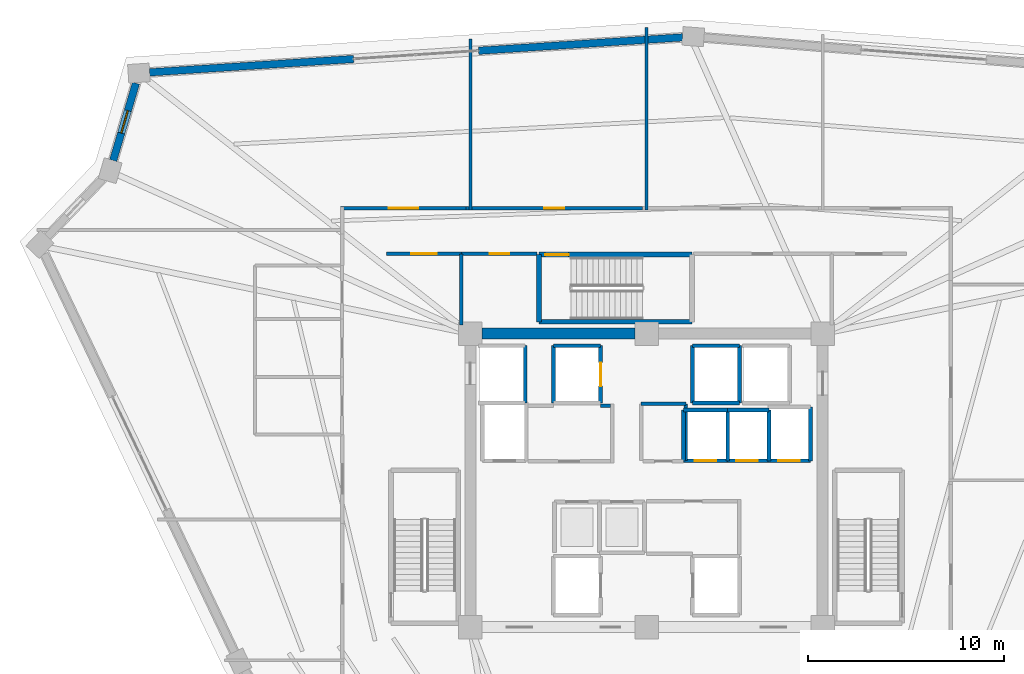
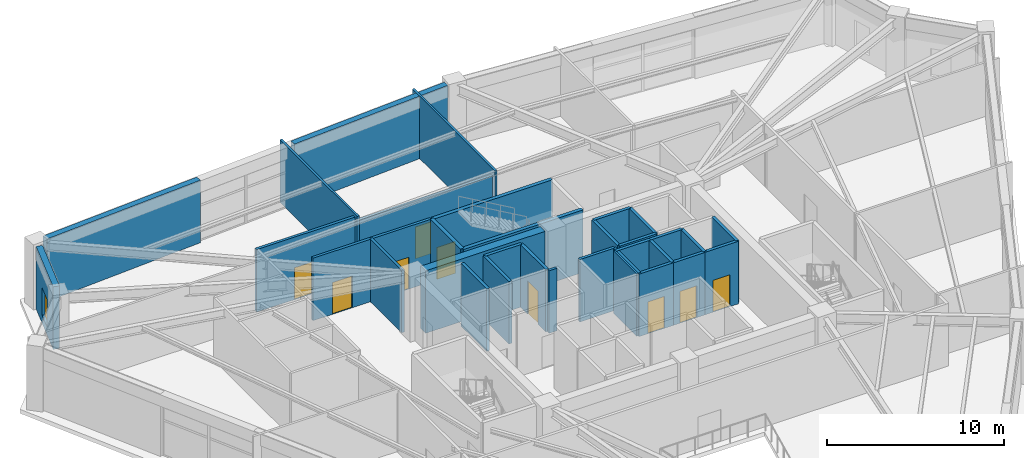
# One storey, part 30 of 35: 34 walls, 9 doors, 1 window, 10 openings.
"""IFC4 building model written with IfcOpenShell, lengths in metres."""

from ifc_helpers import new_model, si_unit, direction, frame, frame_2d, origin, place, context, subcontext, project, spatial, rectangle, extrude, source, transform, mapped, material, layer, layer_set, type_object, element, fill, save


model = new_model("IFC4")

# Units and contexts
model_context = context("Model", 3, precision=1e-05, world=origin(), true_north=direction((0.0, 1.0)))
body_context = subcontext(model_context, "Body", "Model", "MODEL_VIEW")
ifc_project = project(units=[si_unit("LENGTHUNIT", "METRE"), si_unit("AREAUNIT", "SQUARE_METRE"), si_unit("VOLUMEUNIT", "CUBIC_METRE"), si_unit("PLANEANGLEUNIT", "RADIAN"), si_unit("MASSUNIT", "GRAM", prefix="KILO")], contexts=[model_context])

# Site, building, storey
site_placement = place(None, origin())
site = spatial("IfcSite", under=ifc_project, at=site_placement, CompositionType="ELEMENT")
building_placement = place(site_placement, origin())
building = spatial("IfcBuilding", under=site, at=building_placement, Name="Liaohun Quay Tower", CompositionType="ELEMENT")
storey_placement = place(building_placement, frame((0.0, 0.0, 282.0)))
storey = spatial("IfcBuildingStorey", under=building, at=storey_placement, Name="L73", CompositionType="ELEMENT", Elevation=282.0)

# Walls
ifc_material_1 = material(Name="Concrete C50", Category="concrete")
ifc_layer_1 = layer(ifc_material_1, 0.550048828125, Name="Concrete C50", Category="concrete")
ifc_layer_set_1 = layer_set([ifc_layer_1], Name="Concrete C50")
wall_type_1 = type_object("IfcWallType", Name="WAL-COR-Z4", PredefinedType="SHEAR", material=ifc_layer_set_1)
wall_1_placement = place(storey_placement, frame((51.60009765625, 61.5, 0.0), z_axis=(0.0, 0.0, 1.0), x_axis=(1.0, 0.0, 0.0)))
element("IfcWall", 1, at=wall_1_placement, inside=storey, type_object=wall_type_1, Name="L73 Central Core Shear Wall N-W", PredefinedType="SHEAR", context=body_context, shape_type="SweptSolid", body=[
    extrude(rectangle(XDim=7.7998046875, YDim=0.550048828125, at=frame_2d((3.89990234375, 0.0))), origin(), (0.0, 0.0, 1.0), 4.320068359375),
])
ifc_material_2 = material(Name="Precast concrete C50 insulated sandwich", Category="concrete")
ifc_layer_2 = layer(ifc_material_2, 0.3798828125, Name="Precast concrete C50 insulated sandwich", Category="concrete")
ifc_layer_set_2 = layer_set([ifc_layer_2], Name="Precast concrete C50 insulated sandwich")
wall_type_2 = type_object("IfcWallType", Name="WAL-EXT-Z34", PredefinedType="SOLIDWALL", material=ifc_layer_set_2)
wall_2_placement = place(storey_placement, frame((61.847900390625, 76.64208984375, 0.0), z_axis=(0.0, 0.0, 1.0), x_axis=(-0.997844985263, -0.065615435579, 0.0)))
element("IfcWall", 2, at=wall_2_placement, inside=storey, type_object=wall_type_2, Name="L73 Belvedere Flank Pier Wall 07L", PredefinedType="SOLIDWALL", context=body_context, shape_type="SweptSolid", body=[
    extrude(rectangle(XDim=10.455322265625, YDim=0.3798828125, at=frame_2d((5.2275390625, 0.0))), origin(), (0.0, 0.0, 1.0), 4.320068359375),
])
wall_3_placement = place(storey_placement, frame((45.028076171875, 75.535888671875, 0.0), z_axis=(0.0, 0.0, 1.0), x_axis=(-0.997846614317, -0.065590657079, 0.0)))
element("IfcWall", 3, at=wall_3_placement, inside=storey, type_object=wall_type_2, Name="L73 Belvedere Flank Pier Wall 07R", PredefinedType="SOLIDWALL", context=body_context, shape_type="SweptSolid", body=[
    extrude(rectangle(XDim=10.45556640625, YDim=0.3798828125, at=frame_2d((5.227783203125, 0.0))), origin(), (0.0, 0.0, 1.0), 4.320068359375),
])

# Wall, opening, window
wall_4_placement = place(storey_placement, frame((33.903076171875, 74.297119140625, 0.0), z_axis=(0.0, 0.0, 1.0), x_axis=(-0.282820834806, -0.959172755764, 0.0)))
wall_4 = element("IfcWall", 4, at=wall_4_placement, inside=storey, type_object=wall_type_2, Name="L73 Corner Notch Precast Pier Wall 08", PredefinedType="SOLIDWALL", context=body_context, shape_type="SweptSolid", body=[
    extrude(rectangle(XDim=4.119384765625, YDim=0.3798828125, at=frame_2d((2.0595703125, 0.0))), origin(), (0.0, 0.0, 1.0), 4.320068359375),
])
shared_shape_1 = source(origin(), body_context, "Body", "SweptSolid", [
    extrude(rectangle(XDim=1.199951171875, YDim=1.89990234375, at=frame_2d((0.60009765625, 0.949951171875))), frame((0.0, 0.199951171875, 0.0), z_axis=(0.0, -1.0, 0.0), x_axis=(1.0, 0.0, 0.0)), (0.0, 0.0, 1.0), 0.39990234375),
])
opening_1_placement = place(wall_4_placement, frame((1.4599609375, 0.0, 0.550048828125)))
opening_1 = element("IfcOpeningElement", 5, at=opening_1_placement, cuts=wall_4, Name="Opening W05", PredefinedType="OPENING", context=body_context, shape_type="MappedRepresentation", body=[
    mapped(shared_shape_1, transform((0.0, 0.0, 0.0), x_axis=(1.0, 0.0, 0.0), y_axis=(0.0, 1.0, 0.0), z_axis=(0.0, 0.0, 1.0), scale=1.0)),
])
ifc_material_3 = material(Name="Triple Low-E corner notch glazing", Category="glass")
window_type = type_object("IfcWindowType", Name="WIN-NOTCH", PartitioningType="SINGLE_PANEL", PredefinedType="WINDOW", material=ifc_material_3)
shared_shape_2 = source(origin(), body_context, "Body", "SweptSolid", [
    extrude(rectangle(XDim=1.199951171875, YDim=1.89990234375, at=frame_2d((0.60009765625, 0.949951171875))), frame((0.0, 0.030029296875, 0.0), z_axis=(0.0, -1.0, 0.0), x_axis=(1.0, 0.0, 0.0)), (0.0, 0.0, 1.0), 0.06005859375),
])
window_placement = place(opening_1_placement, origin())
window = element("IfcWindow", 6, at=window_placement, inside=storey, type_object=window_type, Name="L73 Corner Notch Window W05-08", OverallHeight=1.89990234375, OverallWidth=1.199951171875, PartitioningType="SINGLE_PANEL", PredefinedType="WINDOW", context=body_context, shape_type="MappedRepresentation", body=[
    mapped(shared_shape_2, transform((0.0, 0.0, 0.0), x_axis=(1.0, 0.0, 0.0), y_axis=(0.0, 1.0, 0.0), z_axis=(0.0, 0.0, 1.0), scale=1.0)),
])
fill(opening_1, window)

# Wall, opening, door
ifc_material_4 = material(Name="Autoclaved aerated concrete blockwork", Category="masonry")
ifc_layer_3 = layer(ifc_material_4, 0.179931640625, Name="Autoclaved aerated concrete blockwork", Category="masonry")
ifc_layer_set_3 = layer_set([ifc_layer_3], Name="Autoclaved aerated concrete blockwork")
wall_type_3 = type_object("IfcWallType", Name="WAL-PRT-COR", PredefinedType="PARTITIONING", material=ifc_layer_set_3)
wall_5_placement = place(storey_placement, frame((50.5400390625, 65.580078125, 0.0), z_axis=(0.0, 0.0, 1.0), x_axis=(1.0, 0.0, 0.0)))
wall_5 = element("IfcWall", 7, at=wall_5_placement, inside=storey, type_object=wall_type_3, Name="L73 Interior Partition Wall 007", PredefinedType="PARTITIONING", context=body_context, shape_type="SweptSolid", body=[
    extrude(rectangle(XDim=3.869873046875, YDim=0.179931640625, at=frame_2d((1.93505859375, 0.0))), origin(), (0.0, 0.0, 1.0), 4.320068359375),
])
shared_shape_3 = source(origin(), body_context, "Body", "SweptSolid", [
    extrude(rectangle(XDim=1.0, YDim=2.199951171875, at=frame_2d((0.5, 1.10009765625))), frame((0.0, 0.099853515625, 0.0), z_axis=(0.0, -1.0, 0.0), x_axis=(1.0, 0.0, 0.0)), (0.0, 0.0, 1.0), 0.199951171875),
])
opening_2_placement = place(wall_5_placement, frame((1.43505859375, 0.0, 0.0)))
opening_2 = element("IfcOpeningElement", 8, at=opening_2_placement, cuts=wall_5, Name="Opening OD1", PredefinedType="OPENING", context=body_context, shape_type="MappedRepresentation", body=[
    mapped(shared_shape_3, transform((0.0, 0.0, 0.0), x_axis=(1.0, 0.0, 0.0), y_axis=(0.0, 1.0, 0.0), z_axis=(0.0, 0.0, 1.0), scale=1.0)),
])
ifc_material_5 = material(Name="Solid-core oak veneer timber leaf in steel frame", Category="steel")
door_type_1 = type_object("IfcDoorType", Name="DOR-OFF-1000", OperationType="NOTDEFINED", PredefinedType="DOOR", material=ifc_material_5)
shared_shape_4 = source(origin(), body_context, "Body", "SweptSolid", [
    extrude(rectangle(XDim=1.0, YDim=2.199951171875, at=frame_2d((0.5, 1.10009765625))), frame((0.0, 0.02490234375, 0.0), z_axis=(0.0, -1.0, 0.0), x_axis=(1.0, 0.0, 0.0)), (0.0, 0.0, 1.0), 0.050048828125),
])
door_1_placement = place(opening_2_placement, origin())
door_1 = element("IfcDoor", 9, at=door_1_placement, inside=storey, type_object=door_type_1, Name="L73 North-West Print and Telecom Room Door", OperationType="SINGLE_SWING_LEFT", OverallHeight=2.199951171875, OverallWidth=1.0, PredefinedType="DOOR", context=body_context, shape_type="MappedRepresentation", body=[
    mapped(shared_shape_4, transform((0.0, 0.0, 0.0), x_axis=(1.0, 0.0, 0.0), y_axis=(0.0, 1.0, 0.0), z_axis=(0.0, 0.0, 1.0), scale=1.0)),
])
fill(opening_2, door_1)

wall_6_placement = place(storey_placement, frame((46.699951171875, 65.580078125, 0.0), z_axis=(0.0, 0.0, 1.0), x_axis=(1.0, 0.0, 0.0)))
wall_6 = element("IfcWall", 10, at=wall_6_placement, inside=storey, type_object=wall_type_3, Name="L73 Interior Partition Wall 009", PredefinedType="PARTITIONING", context=body_context, shape_type="SweptSolid", body=[
    extrude(rectangle(XDim=3.840087890625, YDim=0.179931640625, at=frame_2d((1.919921875, 0.0))), origin(), (0.0, 0.0, 1.0), 4.320068359375),
])
shared_shape_5 = source(origin(), body_context, "Body", "SweptSolid", [
    extrude(rectangle(XDim=1.300048828125, YDim=2.199951171875, at=frame_2d((0.64990234375, 1.10009765625))), frame((0.0, 0.099853515625, 0.0), z_axis=(0.0, -1.0, 0.0), x_axis=(1.0, 0.0, 0.0)), (0.0, 0.0, 1.0), 0.199951171875),
])
opening_3_placement = place(wall_6_placement, frame((1.27001953125, 0.0, 0.0)))
opening_3 = element("IfcOpeningElement", 11, at=opening_3_placement, cuts=wall_6, Name="Opening FD1", PredefinedType="OPENING", context=body_context, shape_type="MappedRepresentation", body=[
    mapped(shared_shape_5, transform((0.0, 0.0, 0.0), x_axis=(1.0, 0.0, 0.0), y_axis=(0.0, 1.0, 0.0), z_axis=(0.0, 0.0, 1.0), scale=1.0)),
])
ifc_material_6 = material(Name="Galvanised steel smokeproof fire door", Category="steel")
door_type_2 = type_object("IfcDoorType", Name="DOR-FFL-1300", OperationType="NOTDEFINED", PredefinedType="DOOR", material=ifc_material_6)
shared_shape_6 = source(origin(), body_context, "Body", "SweptSolid", [
    extrude(rectangle(XDim=1.300048828125, YDim=2.199951171875, at=frame_2d((0.64990234375, 1.10009765625))), frame((0.0, 0.02490234375, 0.0), z_axis=(0.0, -1.0, 0.0), x_axis=(1.0, 0.0, 0.0)), (0.0, 0.0, 1.0), 0.050048828125),
])
door_2_placement = place(opening_3_placement, origin())
door_2 = element("IfcDoor", 12, at=door_2_placement, inside=storey, type_object=door_type_2, Name="L73 West Core Vestibule Door", OperationType="SINGLE_SWING_LEFT", OverallHeight=2.199951171875, OverallWidth=1.300048828125, PredefinedType="DOOR", context=body_context, shape_type="MappedRepresentation", body=[
    mapped(shared_shape_6, transform((0.0, 0.0, 0.0), x_axis=(1.0, 0.0, 0.0), y_axis=(0.0, 1.0, 0.0), z_axis=(0.0, 0.0, 1.0), scale=1.0)),
])
fill(opening_3, door_2)

wall_7_placement = place(storey_placement, frame((50.784912109375, 67.909912109375, 0.0), z_axis=(0.0, 0.0, 1.0), x_axis=(1.0, 0.0, 0.0)))
wall_7 = element("IfcWall", 13, at=wall_7_placement, inside=storey, type_object=wall_type_3, Name="L73 Interior Partition Wall 014", PredefinedType="PARTITIONING", context=body_context, shape_type="SweptSolid", body=[
    extrude(rectangle(XDim=9.0, YDim=0.179931640625, at=frame_2d((4.5, 0.0))), origin(), (0.0, 0.0, 1.0), 4.010986328125),
])
opening_4_placement = place(wall_7_placement, frame((4.0, 0.0, 0.0)))
opening_4 = element("IfcOpeningElement", 14, at=opening_4_placement, cuts=wall_7, Name="Opening OD1", PredefinedType="OPENING", context=body_context, shape_type="MappedRepresentation", body=[
    mapped(shared_shape_3, transform((0.0, 0.0, 0.0), x_axis=(1.0, 0.0, 0.0), y_axis=(0.0, 1.0, 0.0), z_axis=(0.0, 0.0, 1.0), scale=1.0)),
])
door_3_placement = place(opening_4_placement, origin())
door_3 = element("IfcDoor", 15, at=door_3_placement, inside=storey, type_object=door_type_1, Name="L73 Model Fabrication Workshop 04 Door", OperationType="SINGLE_SWING_RIGHT", OverallHeight=2.199951171875, OverallWidth=1.0, PredefinedType="DOOR", context=body_context, shape_type="MappedRepresentation", body=[
    mapped(shared_shape_4, transform((0.0, 0.0, 0.0), x_axis=(1.0, 0.0, 0.0), y_axis=(0.0, 1.0, 0.0), z_axis=(0.0, 0.0, 1.0), scale=1.0)),
])
fill(opening_4, door_3)

wall_8_placement = place(storey_placement, frame((44.3701171875, 67.909912109375, 0.0), z_axis=(0.0, 0.0, 1.0), x_axis=(1.0, 0.0, 0.0)))
wall_8 = element("IfcWall", 16, at=wall_8_placement, inside=storey, type_object=wall_type_3, Name="L73 Interior Partition Wall 015", PredefinedType="PARTITIONING", context=body_context, shape_type="SweptSolid", body=[
    extrude(rectangle(XDim=6.414794921875, YDim=0.179931640625, at=frame_2d((3.20751953125, 0.0))), origin(), (0.0, 0.0, 1.0), 4.320068359375),
])
shared_shape_7 = source(origin(), body_context, "Body", "SweptSolid", [
    extrude(rectangle(XDim=1.5, YDim=2.199951171875, at=frame_2d((0.75, 1.10009765625))), frame((0.0, 0.099853515625, 0.0), z_axis=(0.0, -1.0, 0.0), x_axis=(1.0, 0.0, 0.0)), (0.0, 0.0, 1.0), 0.199951171875),
])
opening_5_placement = place(wall_8_placement, frame((2.45703125, 0.0, 0.0)))
opening_5 = element("IfcOpeningElement", 17, at=opening_5_placement, cuts=wall_8, Name="Opening OD2", PredefinedType="OPENING", context=body_context, shape_type="MappedRepresentation", body=[
    mapped(shared_shape_7, transform((0.0, 0.0, 0.0), x_axis=(1.0, 0.0, 0.0), y_axis=(0.0, 1.0, 0.0), z_axis=(0.0, 0.0, 1.0), scale=1.0)),
])
ifc_material_7 = material(Name="Acoustic oak veneer double door")
door_type_3 = type_object("IfcDoorType", Name="DOR-OFF-1500", OperationType="DOUBLE_DOOR_SINGLE_SWING", PredefinedType="DOOR", material=ifc_material_7)
shared_shape_8 = source(origin(), body_context, "Body", "SweptSolid", [
    extrude(rectangle(XDim=1.5, YDim=2.199951171875, at=frame_2d((0.75, 1.10009765625))), frame((0.0, 0.02490234375, 0.0), z_axis=(0.0, -1.0, 0.0), x_axis=(1.0, 0.0, 0.0)), (0.0, 0.0, 1.0), 0.050048828125),
])
door_4_placement = place(opening_5_placement, origin())
door_4 = element("IfcDoor", 18, at=door_4_placement, inside=storey, type_object=door_type_3, Name="L73 Sky Club Pantry Kitchen 05 Door", OperationType="DOUBLE_DOOR_SINGLE_SWING", OverallHeight=2.199951171875, OverallWidth=1.5, PredefinedType="DOOR", context=body_context, shape_type="MappedRepresentation", body=[
    mapped(shared_shape_8, transform((0.0, 0.0, 0.0), x_axis=(1.0, 0.0, 0.0), y_axis=(0.0, 1.0, 0.0), z_axis=(0.0, 0.0, 1.0), scale=1.0)),
])
fill(opening_5, door_4)

# Walls
wall_9_placement = place(storey_placement, frame((62.010009765625, 55.02001953125, 0.0), z_axis=(0.0, 0.0, 1.0), x_axis=(0.0, 1.0, 0.0)))
element("IfcWall", 19, at=wall_9_placement, inside=storey, type_object=wall_type_3, Name="L73 Interior Partition Wall 021", PredefinedType="PARTITIONING", context=body_context, shape_type="SweptSolid", body=[
    extrude(rectangle(XDim=2.8798828125, YDim=0.179931640625, at=frame_2d((1.43994140625, 0.0))), origin(), (0.0, 0.0, 1.0), 4.320068359375),
])
wall_10_placement = place(storey_placement, frame((59.719970703125, 57.919921875, 0.0), z_axis=(0.0, 0.0, 1.0), x_axis=(1.0, 0.0, 0.0)))
element("IfcWall", 20, at=wall_10_placement, inside=storey, type_object=wall_type_3, Name="L73 Interior Partition Wall 022", PredefinedType="PARTITIONING", context=body_context, shape_type="SweptSolid", body=[
    extrude(rectangle(XDim=2.2900390625, YDim=0.179931640625, at=frame_2d((1.14501953125, 0.0))), origin(), (0.0, 0.0, 1.0), 4.320068359375),
])
wall_11_placement = place(storey_placement, frame((50.5400390625, 61.949951171875, 0.0), z_axis=(0.0, 0.0, 1.0), x_axis=(0.0, 1.0, 0.0)))
element("IfcWall", 21, at=wall_11_placement, inside=storey, type_object=wall_type_3, Name="L73 Interior Partition Wall 028", PredefinedType="PARTITIONING", context=body_context, shape_type="SweptSolid", body=[
    extrude(rectangle(XDim=3.630126953125, YDim=0.179931640625, at=frame_2d((1.81494140625, 0.0))), origin(), (0.0, 0.0, 1.0), 4.320068359375),
])
wall_12_placement = place(storey_placement, frame((57.64990234375, 57.820068359375, 0.0), z_axis=(0.0, 0.0, 1.0), x_axis=(1.0, 0.0, 0.0)))
element("IfcWall", 22, at=wall_12_placement, inside=storey, type_object=wall_type_3, Name="L73 Interior Partition Wall 046", PredefinedType="PARTITIONING", context=body_context, shape_type="SweptSolid", body=[
    extrude(rectangle(XDim=0.510009765625, YDim=0.179931640625, at=frame_2d((0.2548828125, 0.0))), origin(), (0.0, 0.0, 1.0), 4.320068359375),
])
ifc_material_8 = material(Name="Gypsum board on twin steel studs", Category="steel")
ifc_layer_4 = layer(ifc_material_8, 0.139892578125, Name="Gypsum board on twin steel studs", Category="steel")
ifc_layer_set_4 = layer_set([ifc_layer_4], Name="Gypsum board on twin steel studs")
wall_type_4 = type_object("IfcWallType", Name="WAL-PRT-OFF", PredefinedType="PARTITIONING", material=ifc_layer_set_4)
wall_13_placement = place(storey_placement, frame((51.0, 67.81005859375, 0.0), z_axis=(0.0, 0.0, 1.0), x_axis=(0.0, 1.0, 0.0)))
element("IfcWall", 23, at=wall_13_placement, inside=storey, type_object=wall_type_4, Name="L73 Interior Partition Wall 041", PredefinedType="PARTITIONING", context=body_context, shape_type="SweptSolid", body=[
    extrude(rectangle(XDim=8.75, YDim=0.139892578125, at=frame_2d((4.375, 0.0))), origin(), (0.0, 0.0, 1.0), 4.320068359375),
])
wall_14_placement = place(storey_placement, frame((60.0, 67.81005859375, 0.0), z_axis=(0.0, 0.0, 1.0), x_axis=(0.0, 1.0, 0.0)))
element("IfcWall", 24, at=wall_14_placement, inside=storey, type_object=wall_type_4, Name="L73 Interior Partition Wall 042", PredefinedType="PARTITIONING", context=body_context, shape_type="SweptSolid", body=[
    extrude(rectangle(XDim=9.3408203125, YDim=0.139892578125, at=frame_2d((4.67041015625, 0.0))), origin(), (0.0, 0.0, 1.0), 4.320068359375),
])
ifc_layer_5 = layer(ifc_material_1, 0.239990234375, Name="Concrete C50", Category="concrete")
ifc_layer_set_5 = layer_set([ifc_layer_5], Name="Concrete C50")
wall_type_5 = type_object("IfcWallType", Name="WAL-SHF-200", PredefinedType="SOLIDWALL", material=ifc_layer_set_5)
wall_15_placement = place(storey_placement, frame((54.5, 62.10009765625, 0.0), z_axis=(0.0, 0.0, 1.0), x_axis=(1.0, 0.0, 0.0)))
element("IfcWall", 25, at=wall_15_placement, inside=storey, type_object=wall_type_5, Name="L73 Stairwell ST-3 Structural Core Wall S", PredefinedType="SOLIDWALL", context=body_context, shape_type="SweptSolid", body=[
    extrude(rectangle(XDim=7.820068359375, YDim=0.239990234375, at=frame_2d((3.91015625, 0.0))), origin(), (0.0, 0.0, 1.0), 4.320068359375),
])

# Wall, opening, door
wall_16_placement = place(storey_placement, frame((62.320068359375, 65.5400390625, 0.0), z_axis=(0.0, 0.0, 1.0), x_axis=(-1.0, 0.0, 0.0)))
wall_16 = element("IfcWall", 26, at=wall_16_placement, inside=storey, type_object=wall_type_5, Name="L73 Stairwell ST-3 Structural Core Wall N", PredefinedType="SOLIDWALL", context=body_context, shape_type="SweptSolid", body=[
    extrude(rectangle(XDim=7.820068359375, YDim=0.239990234375, at=frame_2d((3.91015625, 0.0))), origin(), (0.0, 0.0, 1.0), 4.320068359375),
])
shared_shape_9 = source(origin(), body_context, "Body", "SweptSolid", [
    extrude(rectangle(XDim=1.199951171875, YDim=2.199951171875, at=frame_2d((0.60009765625, 1.10009765625))), frame((0.0, 0.1298828125, 0.0), z_axis=(0.0, -1.0, 0.0), x_axis=(1.0, 0.0, 0.0)), (0.0, 0.0, 1.0), 0.260009765625),
])
opening_6_placement = place(wall_16_placement, frame((6.300048828125, 0.0, 0.0)))
opening_6 = element("IfcOpeningElement", 27, at=opening_6_placement, cuts=wall_16, Name="Opening SD1", PredefinedType="OPENING", context=body_context, shape_type="MappedRepresentation", body=[
    mapped(shared_shape_9, transform((0.0, 0.0, 0.0), x_axis=(1.0, 0.0, 0.0), y_axis=(0.0, 1.0, 0.0), z_axis=(0.0, 0.0, 1.0), scale=1.0)),
])
ifc_material_9 = material(Name="Galvanised steel fire door", Category="steel")
door_type_4 = type_object("IfcDoorType", Name="DOR-STR-1200", OperationType="NOTDEFINED", PredefinedType="DOOR", material=ifc_material_9)
shared_shape_10 = source(origin(), body_context, "Body", "SweptSolid", [
    extrude(rectangle(XDim=1.199951171875, YDim=2.199951171875, at=frame_2d((0.60009765625, 1.10009765625))), frame((0.0, 0.02490234375, 0.0), z_axis=(0.0, -1.0, 0.0), x_axis=(1.0, 0.0, 0.0)), (0.0, 0.0, 1.0), 0.050048828125),
])
door_5_placement = place(opening_6_placement, origin())
door_5 = element("IfcDoor", 28, at=door_5_placement, inside=storey, type_object=door_type_4, Name="L73 Protected Stair ST-3 Fire Door", OperationType="SINGLE_SWING_RIGHT", OverallHeight=2.199951171875, OverallWidth=1.199951171875, PredefinedType="DOOR", context=body_context, shape_type="MappedRepresentation", body=[
    mapped(shared_shape_10, transform((0.0, 0.0, 0.0), x_axis=(1.0, 0.0, 0.0), y_axis=(0.0, 1.0, 0.0), z_axis=(0.0, 0.0, 1.0), scale=1.0)),
])
fill(opening_6, door_5)

# Wall
wall_17_placement = place(storey_placement, frame((54.5, 65.5400390625, 0.0), z_axis=(0.0, 0.0, 1.0), x_axis=(0.0, -1.0, 0.0)))
element("IfcWall", 29, at=wall_17_placement, inside=storey, type_object=wall_type_5, Name="L73 Stairwell ST-3 Structural Core Wall W", PredefinedType="SOLIDWALL", context=body_context, shape_type="SweptSolid", body=[
    extrude(rectangle(XDim=3.43994140625, YDim=0.239990234375, at=frame_2d((1.719970703125, 0.0))), origin(), (0.0, 0.0, 1.0), 4.320068359375),
])

# Wall, opening, door
wall_18_placement = place(storey_placement, frame((57.64990234375, 57.949951171875, 0.0), z_axis=(0.0, 0.0, 1.0), x_axis=(0.0, 1.0, 0.0)))
wall_18 = element("IfcWall", 30, at=wall_18_placement, inside=storey, type_object=wall_type_5, Name="L73 Lift FF-03 Hoistway Wall E", PredefinedType="SOLIDWALL", context=body_context, shape_type="SweptSolid", body=[
    extrude(rectangle(XDim=2.929931640625, YDim=0.199951171875, at=frame_2d((1.46484375, 0.0))), origin(), (0.0, 0.0, 1.0), 4.320068359375),
])
shared_shape_11 = source(origin(), body_context, "Body", "SweptSolid", [
    extrude(rectangle(XDim=1.199951171875, YDim=2.300048828125, at=frame_2d((0.60009765625, 1.14990234375))), frame((0.0, 0.10986328125, 0.0), z_axis=(0.0, -1.0, 0.0), x_axis=(1.0, 0.0, 0.0)), (0.0, 0.0, 1.0), 0.219970703125),
])
opening_7_placement = place(wall_18_placement, frame((0.864990234375, 0.0, 0.0)))
opening_7 = element("IfcOpeningElement", 31, at=opening_7_placement, cuts=wall_18, Name="Opening LD2", PredefinedType="OPENING", context=body_context, shape_type="MappedRepresentation", body=[
    mapped(shared_shape_11, transform((0.0, 0.0, 0.0), x_axis=(1.0, 0.0, 0.0), y_axis=(0.0, 1.0, 0.0), z_axis=(0.0, 0.0, 1.0), scale=1.0)),
])
ifc_material_10 = material(Name="Brushed stainless steel stretcher landing door", Category="steel")
door_type_5 = type_object("IfcDoorType", Name="DOR-LFT-1200", OperationType="SLIDING_TO_LEFT", PredefinedType="DOOR", material=ifc_material_10)
shared_shape_12 = source(origin(), body_context, "Body", "SweptSolid", [
    extrude(rectangle(XDim=1.199951171875, YDim=2.300048828125, at=frame_2d((0.60009765625, 1.14990234375))), frame((0.0, 0.02490234375, 0.0), z_axis=(0.0, -1.0, 0.0), x_axis=(1.0, 0.0, 0.0)), (0.0, 0.0, 1.0), 0.050048828125),
])
door_6_placement = place(opening_7_placement, origin())
door_6 = element("IfcDoor", 32, at=door_6_placement, inside=storey, type_object=door_type_5, Name="L73 Lift FF-03 Sliding Landing Door", OperationType="SLIDING_TO_LEFT", OverallHeight=2.300048828125, OverallWidth=1.199951171875, PredefinedType="DOOR", context=body_context, shape_type="MappedRepresentation", body=[
    mapped(shared_shape_12, transform((0.0, 0.0, 0.0), x_axis=(1.0, 0.0, 0.0), y_axis=(0.0, 1.0, 0.0), z_axis=(0.0, 0.0, 1.0), scale=1.0)),
])
fill(opening_7, door_6)

# Walls
wall_19_placement = place(storey_placement, frame((57.64990234375, 60.8798828125, 0.0), z_axis=(0.0, 0.0, 1.0), x_axis=(-1.0, 0.0, 0.0)))
element("IfcWall", 33, at=wall_19_placement, inside=storey, type_object=wall_type_5, Name="L73 Lift FF-03 Hoistway Wall N", PredefinedType="SOLIDWALL", context=body_context, shape_type="SweptSolid", body=[
    extrude(rectangle(XDim=2.39990234375, YDim=0.199951171875, at=frame_2d((1.199951171875, 0.0))), origin(), (0.0, 0.0, 1.0), 4.320068359375),
])
wall_20_placement = place(storey_placement, frame((55.25, 60.8798828125, 0.0), z_axis=(0.0, 0.0, 1.0), x_axis=(0.0, -1.0, 0.0)))
element("IfcWall", 34, at=wall_20_placement, inside=storey, type_object=wall_type_5, Name="L73 Lift FF-03 Hoistway Wall W", PredefinedType="SOLIDWALL", context=body_context, shape_type="SweptSolid", body=[
    extrude(rectangle(XDim=2.929931640625, YDim=0.199951171875, at=frame_2d((1.46484375, 0.0))), origin(), (0.0, 0.0, 1.0), 4.320068359375),
])
wall_21_placement = place(storey_placement, frame((62.35009765625, 57.949951171875, 0.0), z_axis=(0.0, 0.0, 1.0), x_axis=(1.0, 0.0, 0.0)))
element("IfcWall", 35, at=wall_21_placement, inside=storey, type_object=wall_type_5, Name="L73 Lift OB-01 Hoistway Wall S", PredefinedType="SOLIDWALL", context=body_context, shape_type="SweptSolid", body=[
    extrude(rectangle(XDim=2.39990234375, YDim=0.199951171875, at=frame_2d((1.199951171875, 0.0))), origin(), (0.0, 0.0, 1.0), 4.320068359375),
])
wall_22_placement = place(storey_placement, frame((64.75, 57.949951171875, 0.0), z_axis=(0.0, 0.0, 1.0), x_axis=(0.0, 1.0, 0.0)))
element("IfcWall", 36, at=wall_22_placement, inside=storey, type_object=wall_type_5, Name="L73 Lift OB-01 Hoistway Wall E", PredefinedType="SOLIDWALL", context=body_context, shape_type="SweptSolid", body=[
    extrude(rectangle(XDim=2.929931640625, YDim=0.199951171875, at=frame_2d((1.46484375, 0.0))), origin(), (0.0, 0.0, 1.0), 4.320068359375),
])
wall_23_placement = place(storey_placement, frame((64.75, 60.8798828125, 0.0), z_axis=(0.0, 0.0, 1.0), x_axis=(-1.0, 0.0, 0.0)))
element("IfcWall", 37, at=wall_23_placement, inside=storey, type_object=wall_type_5, Name="L73 Lift OB-01 Hoistway Wall N", PredefinedType="SOLIDWALL", context=body_context, shape_type="SweptSolid", body=[
    extrude(rectangle(XDim=2.39990234375, YDim=0.199951171875, at=frame_2d((1.199951171875, 0.0))), origin(), (0.0, 0.0, 1.0), 4.320068359375),
])
for number, where, z_axis, x_axis, name in (
    (38, (62.35009765625, 60.8798828125, 0.0), (0.0, 0.0, 1.0), (0.0, -1.0, 0.0), "L73 Lift OB-01 Hoistway Wall W"),
    (39, (53.800048828125, 57.949951171875, 0.0), (0.0, 0.0, 1.0), (0.0, 1.0, 0.0), "L73 Lift SH-01 Hoistway Wall E"),
):
    element("IfcWall", number, at=place(storey_placement, frame(where, z_axis=z_axis, x_axis=x_axis)), inside=storey, type_object=wall_type_5, Name=name, PredefinedType="SOLIDWALL", context=body_context, shape_type="SweptSolid", body=[
        extrude(rectangle(XDim=2.929931640625, YDim=0.199951171875, at=frame_2d((1.46484375, 0.0))), origin(), (0.0, 0.0, 1.0), 4.320068359375),
    ])

# Wall, opening, door
wall_24_placement = place(storey_placement, frame((66.199951171875, 55.0, 0.0), z_axis=(0.0, 0.0, 1.0), x_axis=(1.0, 0.0, 0.0)))
wall_24 = element("IfcWall", 40, at=wall_24_placement, inside=storey, type_object=wall_type_5, Name="L73 Lift SH-03 Hoistway Wall S", PredefinedType="SOLIDWALL", context=body_context, shape_type="SweptSolid", body=[
    extrude(rectangle(XDim=2.179931640625, YDim=0.199951171875, at=frame_2d((1.08984375, 0.0))), origin(), (0.0, 0.0, 1.0), 4.320068359375),
])
shared_shape_13 = source(origin(), body_context, "Body", "SweptSolid", [
    extrude(rectangle(XDim=1.10009765625, YDim=2.199951171875, at=frame_2d((0.550048828125, 1.10009765625))), frame((0.0, 0.10986328125, 0.0), z_axis=(0.0, -1.0, 0.0), x_axis=(1.0, 0.0, 0.0)), (0.0, 0.0, 1.0), 0.219970703125),
])
opening_8_placement = place(wall_24_placement, frame((0.5400390625, 0.0, 0.0)))
opening_8 = element("IfcOpeningElement", 41, at=opening_8_placement, cuts=wall_24, Name="Opening LD1", PredefinedType="OPENING", context=body_context, shape_type="MappedRepresentation", body=[
    mapped(shared_shape_13, transform((0.0, 0.0, 0.0), x_axis=(1.0, 0.0, 0.0), y_axis=(0.0, 1.0, 0.0), z_axis=(0.0, 0.0, 1.0), scale=1.0)),
])
ifc_material_11 = material(Name="Brushed stainless steel landing door", Category="steel")
door_type_6 = type_object("IfcDoorType", Name="DOR-LFT-1100", OperationType="SLIDING_TO_LEFT", PredefinedType="DOOR", material=ifc_material_11)
shared_shape_14 = source(origin(), body_context, "Body", "SweptSolid", [
    extrude(rectangle(XDim=1.10009765625, YDim=2.199951171875, at=frame_2d((0.550048828125, 1.10009765625))), frame((0.0, 0.02490234375, 0.0), z_axis=(0.0, -1.0, 0.0), x_axis=(1.0, 0.0, 0.0)), (0.0, 0.0, 1.0), 0.050048828125),
])
door_7_placement = place(opening_8_placement, origin())
door_7 = element("IfcDoor", 42, at=door_7_placement, inside=storey, type_object=door_type_6, Name="L73 Lift SH-03 Sliding Landing Door", OperationType="SLIDING_TO_LEFT", OverallHeight=2.199951171875, OverallWidth=1.10009765625, PredefinedType="DOOR", context=body_context, shape_type="MappedRepresentation", body=[
    mapped(shared_shape_14, transform((0.0, 0.0, 0.0), x_axis=(1.0, 0.0, 0.0), y_axis=(0.0, 1.0, 0.0), z_axis=(0.0, 0.0, 1.0), scale=1.0)),
])
fill(opening_8, door_7)

# Wall
wall_25_placement = place(storey_placement, frame((68.3798828125, 55.0, 0.0), z_axis=(0.0, 0.0, 1.0), x_axis=(0.0, 1.0, 0.0)))
element("IfcWall", 43, at=wall_25_placement, inside=storey, type_object=wall_type_5, Name="L73 Lift SH-03 Hoistway Wall E", PredefinedType="SOLIDWALL", context=body_context, shape_type="SweptSolid", body=[
    extrude(rectangle(XDim=2.75, YDim=0.199951171875, at=frame_2d((1.375, 0.0))), origin(), (0.0, 0.0, 1.0), 4.320068359375),
])

# Wall, opening, door
wall_26_placement = place(storey_placement, frame((61.89990234375, 55.0, 0.0), z_axis=(0.0, 0.0, 1.0), x_axis=(1.0, 0.0, 0.0)))
wall_26 = element("IfcWall", 44, at=wall_26_placement, inside=storey, type_object=wall_type_5, Name="L73 Lift PL-3A Hoistway Wall S", PredefinedType="SOLIDWALL", context=body_context, shape_type="SweptSolid", body=[
    extrude(rectangle(XDim=2.25, YDim=0.199951171875, at=frame_2d((1.125, 0.0))), origin(), (0.0, 0.0, 1.0), 4.320068359375),
])
opening_9_placement = place(wall_26_placement, frame((0.574951171875, 0.0, 0.0)))
opening_9 = element("IfcOpeningElement", 45, at=opening_9_placement, cuts=wall_26, Name="Opening LD1", PredefinedType="OPENING", context=body_context, shape_type="MappedRepresentation", body=[
    mapped(shared_shape_13, transform((0.0, 0.0, 0.0), x_axis=(1.0, 0.0, 0.0), y_axis=(0.0, 1.0, 0.0), z_axis=(0.0, 0.0, 1.0), scale=1.0)),
])
door_8_placement = place(opening_9_placement, origin())
door_8 = element("IfcDoor", 46, at=door_8_placement, inside=storey, type_object=door_type_6, Name="L73 Lift PL-3A Sliding Landing Door", OperationType="SLIDING_TO_LEFT", OverallHeight=2.199951171875, OverallWidth=1.10009765625, PredefinedType="DOOR", context=body_context, shape_type="MappedRepresentation", body=[
    mapped(shared_shape_14, transform((0.0, 0.0, 0.0), x_axis=(1.0, 0.0, 0.0), y_axis=(0.0, 1.0, 0.0), z_axis=(0.0, 0.0, 1.0), scale=1.0)),
])
fill(opening_9, door_8)

# Walls
wall_27_placement = place(storey_placement, frame((64.14990234375, 55.0, 0.0), z_axis=(0.0, 0.0, 1.0), x_axis=(0.0, 1.0, 0.0)))
element("IfcWall", 47, at=wall_27_placement, inside=storey, type_object=wall_type_5, Name="L73 Lift PL-3A Hoistway Wall E", PredefinedType="SOLIDWALL", context=body_context, shape_type="SweptSolid", body=[
    extrude(rectangle(XDim=2.60009765625, YDim=0.199951171875, at=frame_2d((1.300048828125, 0.0))), origin(), (0.0, 0.0, 1.0), 4.320068359375),
])
wall_28_placement = place(storey_placement, frame((64.14990234375, 57.60009765625, 0.0), z_axis=(0.0, 0.0, 1.0), x_axis=(-1.0, 0.0, 0.0)))
element("IfcWall", 48, at=wall_28_placement, inside=storey, type_object=wall_type_5, Name="L73 Lift PL-3A Hoistway Wall N", PredefinedType="SOLIDWALL", context=body_context, shape_type="SweptSolid", body=[
    extrude(rectangle(XDim=2.25, YDim=0.199951171875, at=frame_2d((1.125, 0.0))), origin(), (0.0, 0.0, 1.0), 4.320068359375),
])
wall_29_placement = place(storey_placement, frame((61.89990234375, 57.60009765625, 0.0), z_axis=(0.0, 0.0, 1.0), x_axis=(0.0, -1.0, 0.0)))
element("IfcWall", 49, at=wall_29_placement, inside=storey, type_object=wall_type_5, Name="L73 Lift PL-3A Hoistway Wall W", PredefinedType="SOLIDWALL", context=body_context, shape_type="SweptSolid", body=[
    extrude(rectangle(XDim=2.60009765625, YDim=0.199951171875, at=frame_2d((1.300048828125, 0.0))), origin(), (0.0, 0.0, 1.0), 4.320068359375),
])

# Wall, opening, door
wall_30_placement = place(storey_placement, frame((64.0, 55.0, 0.0), z_axis=(0.0, 0.0, 1.0), x_axis=(1.0, 0.0, 0.0)))
wall_30 = element("IfcWall", 50, at=wall_30_placement, inside=storey, type_object=wall_type_5, Name="L73 Lift PL-3B Hoistway Wall S", PredefinedType="SOLIDWALL", context=body_context, shape_type="SweptSolid", body=[
    extrude(rectangle(XDim=2.25, YDim=0.199951171875, at=frame_2d((1.125, 0.0))), origin(), (0.0, 0.0, 1.0), 4.320068359375),
])
opening_10_placement = place(wall_30_placement, frame((0.574951171875, 0.0, 0.0)))
opening_10 = element("IfcOpeningElement", 51, at=opening_10_placement, cuts=wall_30, Name="Opening LD1", PredefinedType="OPENING", context=body_context, shape_type="MappedRepresentation", body=[
    mapped(shared_shape_13, transform((0.0, 0.0, 0.0), x_axis=(1.0, 0.0, 0.0), y_axis=(0.0, 1.0, 0.0), z_axis=(0.0, 0.0, 1.0), scale=1.0)),
])
door_9_placement = place(opening_10_placement, origin())
door_9 = element("IfcDoor", 52, at=door_9_placement, inside=storey, type_object=door_type_6, Name="L73 Lift PL-3B Sliding Landing Door", OperationType="SLIDING_TO_LEFT", OverallHeight=2.199951171875, OverallWidth=1.10009765625, PredefinedType="DOOR", context=body_context, shape_type="MappedRepresentation", body=[
    mapped(shared_shape_14, transform((0.0, 0.0, 0.0), x_axis=(1.0, 0.0, 0.0), y_axis=(0.0, 1.0, 0.0), z_axis=(0.0, 0.0, 1.0), scale=1.0)),
])
fill(opening_10, door_9)

# Walls
wall_31_placement = place(storey_placement, frame((66.25, 55.0, 0.0), z_axis=(0.0, 0.0, 1.0), x_axis=(0.0, 1.0, 0.0)))
element("IfcWall", 53, at=wall_31_placement, inside=storey, type_object=wall_type_5, Name="L73 Lift PL-3B Hoistway Wall E", PredefinedType="SOLIDWALL", context=body_context, shape_type="SweptSolid", body=[
    extrude(rectangle(XDim=2.60009765625, YDim=0.199951171875, at=frame_2d((1.300048828125, 0.0))), origin(), (0.0, 0.0, 1.0), 4.320068359375),
])
wall_32_placement = place(storey_placement, frame((66.25, 57.60009765625, 0.0), z_axis=(0.0, 0.0, 1.0), x_axis=(-1.0, 0.0, 0.0)))
element("IfcWall", 54, at=wall_32_placement, inside=storey, type_object=wall_type_5, Name="L73 Lift PL-3B Hoistway Wall N", PredefinedType="SOLIDWALL", context=body_context, shape_type="SweptSolid", body=[
    extrude(rectangle(XDim=2.25, YDim=0.199951171875, at=frame_2d((1.125, 0.0))), origin(), (0.0, 0.0, 1.0), 4.320068359375),
])

save(model, "model.ifc")
